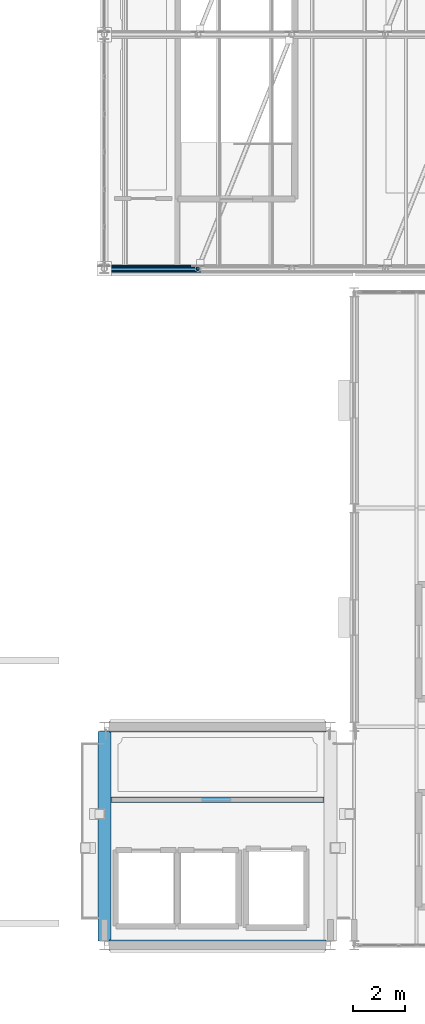
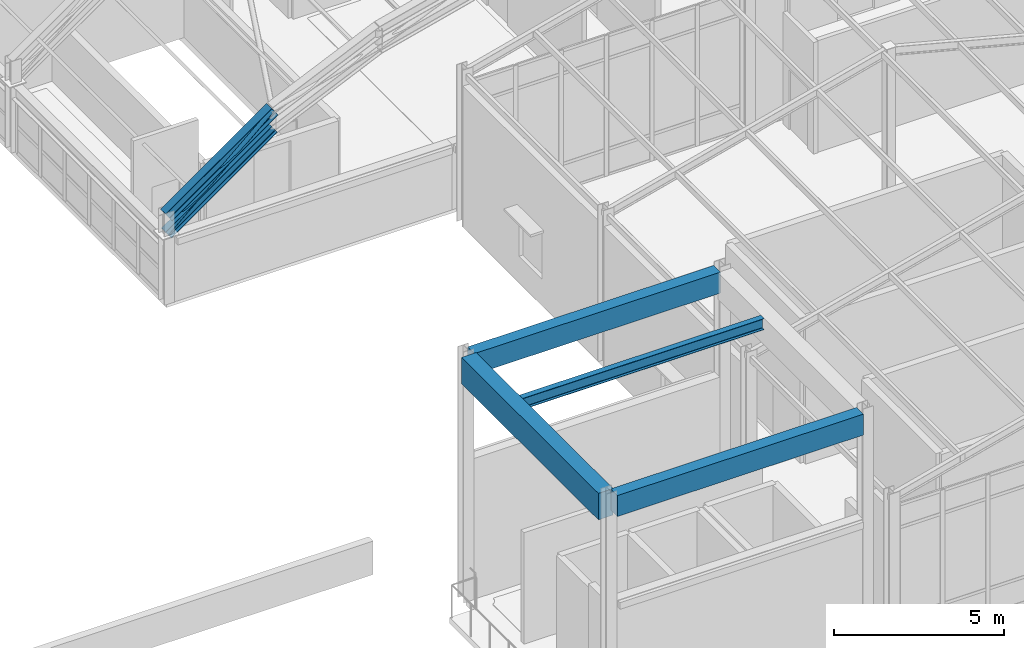
# One storey, part 7 of 121: 5 beams, 2 members.
"""IFC4 building model written with IfcOpenShell, lengths in metres."""

import ifcopenshell
import ifcopenshell.guid

model = None  # the IFC model being written
_history = None  # IfcOwnerHistory: only IFC2X3 demands one
_inside = {}  # id of a spatial element -> (the spatial element, [elements in it])
_under = {}  # id of a project, library or spatial element -> (it, [spatial elements below it])
_declared = {}  # id of a project -> (the project, [libraries it declares])
_typed = {}  # id of a type object -> (the type object, [elements of that type])
_made_of = {}  # id of a material, layer set ... -> (it, [elements and type objects made of it])


def new_model(schema):
    """Start an empty IFC model of exactly this schema.

    Asked for "IFC4X3", IfcOpenShell would pick the latest addendum, in which some entities
    have other attributes; the version numbers below select the first issue.
    IFC2X3 requires an IfcOwnerHistory on every rooted entity: one is made here for all.
    """
    global model, _history
    if schema == "IFC4X3":
        model = ifcopenshell.file(schema_version=(4, 3, 0, 0))
    else:
        model = ifcopenshell.file(schema=schema)
    _inside.clear()
    _under.clear()
    _declared.clear()
    _typed.clear()
    _made_of.clear()
    _history = None
    if model.schema == "IFC2X3":
        org = make("IfcOrganization", Name="unknown")
        user = make(
            "IfcPersonAndOrganization",
            ThePerson=make("IfcPerson", FamilyName="unknown"),
            TheOrganization=org,
        )
        app = make(
            "IfcApplication",
            ApplicationDeveloper=org,
            Version="unknown",
            ApplicationFullName="unknown",
            ApplicationIdentifier="unknown",
        )
        _history = make(
            "IfcOwnerHistory",
            OwningUser=user,
            OwningApplication=app,
            ChangeAction="ADDED",
            CreationDate=0,
        )
    return model


def make(cls, **values):
    """One entity of the class cls with the attributes given. An attribute that is None is left unset."""
    return model.create_entity(
        cls, **{name: value for name, value in values.items() if value is not None}
    )


def rooted(cls, **values):
    """An entity with a GlobalId (a new one), such as an element, a storey or a relation."""
    return make(cls, GlobalId=ifcopenshell.guid.new(), OwnerHistory=_history, **values)


def si_unit(unit_type, name, prefix=None):
    """IfcSIUnit, for example si_unit("LENGTHUNIT", "METRE", prefix="MILLI")."""
    return make("IfcSIUnit", UnitType=unit_type, Prefix=prefix, Name=name)


def assignment(units):
    """IfcUnitAssignment: the units of a project."""
    return None if units is None else make("IfcUnitAssignment", Units=units)


def point(xyz):
    """IfcCartesianPoint."""
    return None if xyz is None else make("IfcCartesianPoint", Coordinates=xyz)


def direction(xyz):
    """IfcDirection."""
    return None if xyz is None else make("IfcDirection", DirectionRatios=xyz)


def frame(location, z_axis=None, x_axis=None):
    """IfcAxis2Placement3D, a coordinate frame: its origin and axes. An axis left out is left unset."""
    return make(
        "IfcAxis2Placement3D",
        Location=point(location),
        Axis=direction(z_axis),
        RefDirection=direction(x_axis),
    )


def frame_2d(location, x_axis=None):
    """IfcAxis2Placement2D, a coordinate frame in the plane: its origin and x axis."""
    return make(
        "IfcAxis2Placement2D", Location=point(location), RefDirection=direction(x_axis)
    )


def origin():
    """The frame at (0, 0, 0) with its axes left unset."""
    return frame((0.0, 0.0, 0.0))


def origin_2d():
    """The frame at (0, 0) in the plane with its x axis left unset."""
    return frame_2d((0.0, 0.0))


def place(relative_to, where):
    """IfcLocalPlacement: puts the frame where relative to a parent placement (None: the world)."""
    return make(
        "IfcLocalPlacement", PlacementRelTo=relative_to, RelativePlacement=where
    )


def context(
    kind, dimensions, precision=None, world=None, true_north=None, identifier=None
):
    """IfcGeometricRepresentationContext, for example the 3D "Model" context."""
    return make(
        "IfcGeometricRepresentationContext",
        ContextIdentifier=identifier,
        ContextType=kind,
        CoordinateSpaceDimension=dimensions,
        Precision=precision,
        WorldCoordinateSystem=world,
        TrueNorth=true_north,
    )


def subcontext(parent, identifier, kind, view, scale=None):
    """IfcGeometricRepresentationSubContext, for example "Body" below "Model"."""
    return make(
        "IfcGeometricRepresentationSubContext",
        ContextIdentifier=identifier,
        ContextType=kind,
        ParentContext=parent,
        TargetScale=scale,
        TargetView=view,
    )


def project(units=None, contexts=None):
    """IfcProject with its units and contexts."""
    return rooted(
        "IfcProject",
        Name="project",
        RepresentationContexts=contexts,
        UnitsInContext=assignment(units),
    )


def spatial(cls, under=None, at=None, **own):
    """A site, building, storey or space (cls), placed at a placement, below another one or the project."""
    s = rooted(cls, ObjectPlacement=at, **own)
    if under is not None:
        _under.setdefault(under.id(), (under, []))[1].append(s)
    return s


def profile(cls, at=None, kind="AREA", **sizes):
    """A parametric profile (cls). Its sizes go by their IFC names, for example OverallWidth=200.0."""
    return make(cls, ProfileType=kind, Position=at, **sizes)


def rectangle(**sizes):
    """IfcRectangleProfileDef."""
    return profile("IfcRectangleProfileDef", **sizes)


def hollow_circle(**sizes):
    """IfcCircleHollowProfileDef."""
    return profile("IfcCircleHollowProfileDef", **sizes)


def i_section(**sizes):
    """IfcIShapeProfileDef."""
    return profile("IfcIShapeProfileDef", **sizes)


def extrude(swept, where, along, depth):
    """IfcExtrudedAreaSolid: the profile swept, set in the frame where, extruded along a direction by depth."""
    return make(
        "IfcExtrudedAreaSolid",
        SweptArea=swept,
        Position=where,
        ExtrudedDirection=direction(along),
        Depth=depth,
    )


def shape(context_of_items, identifier, shape_type, items):
    """IfcShapeRepresentation: the items that make up one representation, for example the "Body"."""
    return make(
        "IfcShapeRepresentation",
        ContextOfItems=context_of_items,
        RepresentationIdentifier=identifier,
        RepresentationType=shape_type,
        Items=items,
    )


def material(Name=None, Category=None):
    """IfcMaterial."""
    return make("IfcMaterial", Name=Name, Category=Category)


def material_profile(
    of_material, cross_section, Name=None, Category=None, Priority=None
):
    """IfcMaterialProfile: a cross section and its material."""
    return make(
        "IfcMaterialProfile",
        Name=Name,
        Material=of_material,
        Profile=cross_section,
        Priority=Priority,
        Category=Category,
    )


def profile_set(profiles, Name=None, composite=None):
    """IfcMaterialProfileSet."""
    return make(
        "IfcMaterialProfileSet",
        Name=Name,
        MaterialProfiles=profiles,
        CompositeProfile=composite,
    )


def made_of(thing, what):
    """Note that an element or type object is made of a material, layer set ...; save() writes the relation."""
    if what is not None:
        _made_of.setdefault(what.id(), (what, []))[1].append(thing)
    return thing


def type_object(cls, material=None, **own):
    """A type object (cls), such as IfcWallType, which elements share."""
    return made_of(rooted(cls, **own), material)


def element(
    cls,
    number,
    at=None,
    inside=None,
    cuts=None,
    type_object=None,
    material=None,
    context=None,
    identifier="Body",
    shape_type=None,
    held_by="IfcProductDefinitionShape",
    body=None,
    shapes=None,
    **own,
):
    """One element of the class cls, such as IfcWall. Its Tag is "e" and its number.

    at: its placement. inside: the storey or other place that contains it. cuts: it is an
    opening in that element (IfcRelVoidsElement). A single representation is given by context,
    identifier, shape_type and body (its items); several are given by shapes. held_by: the class
    of the entity that holds the representations. save() writes the other relations.
    """
    e = rooted(cls, Tag="e%d" % number, ObjectPlacement=at, **own)
    if body is not None:
        shapes = [shape(context, identifier, shape_type, body)]
    if shapes is not None:
        e.Representation = make(held_by, Representations=shapes)
    if inside is not None:
        _inside.setdefault(inside.id(), (inside, []))[1].append(e)
    if cuts is not None:
        rooted(
            "IfcRelVoidsElement", RelatingBuildingElement=cuts, RelatedOpeningElement=e
        )
    if type_object is not None:
        _typed.setdefault(type_object.id(), (type_object, []))[1].append(e)
    return made_of(e, material)


def aggregate(whole, parts):
    """IfcRelAggregates: a whole, such as a stair, and the parts it consists of."""
    return rooted("IfcRelAggregates", RelatingObject=whole, RelatedObjects=parts)


def save(model, path):
    """Write the relations noted so far, then the file.

    IfcRelAggregates (storeys below a building ...), IfcRelContainedInSpatialStructure (elements
    in a storey), IfcRelDefinesByType, IfcRelAssociatesMaterial and IfcRelDeclares: one each for
    every whole, place, type object, material and project.
    """
    for whole, parts in _under.values():
        aggregate(whole, parts)
    for where, things in _inside.values():
        rooted(
            "IfcRelContainedInSpatialStructure",
            RelatedElements=things,
            RelatingStructure=where,
        )
    for kind, things in _typed.values():
        rooted("IfcRelDefinesByType", RelatedObjects=things, RelatingType=kind)
    for what, things in _made_of.values():
        rooted("IfcRelAssociatesMaterial", RelatedObjects=things, RelatingMaterial=what)
    for by, libraries in _declared.values():
        rooted("IfcRelDeclares", RelatingContext=by, RelatedDefinitions=libraries)
    model.write(path)


model = new_model("IFC4")

# Units and contexts
model_context = context("Model", 3, precision=1e-05, world=origin(), true_north=direction((0.0, 1.0)))
body_context = subcontext(model_context, "Body", "Model", "MODEL_VIEW")
ifc_project = project(units=[si_unit("LENGTHUNIT", "METRE"), si_unit("AREAUNIT", "SQUARE_METRE"), si_unit("VOLUMEUNIT", "CUBIC_METRE"), si_unit("PLANEANGLEUNIT", "RADIAN"), si_unit("MASSUNIT", "GRAM", prefix="KILO")], contexts=[model_context])

# Site, building, storey
site_placement = place(None, origin())
site = spatial("IfcSite", under=ifc_project, at=site_placement, CompositionType="ELEMENT")
building_placement = place(site_placement, origin())
building = spatial("IfcBuilding", under=site, at=building_placement, Name="Canglan Escarpment Cableway Terminal", CompositionType="ELEMENT")
storey_placement = place(building_placement, frame((0.0, 0.0, 24.60009765625)))
storey = spatial("IfcBuildingStorey", under=building, at=storey_placement, Name="L05", CompositionType="ELEMENT", Elevation=24.60009765625)

# Beams
ifc_material_1 = material(Name="Steel Q355B", Category="steel")
ifc_material_profile_1 = material_profile(ifc_material_1, i_section(OverallWidth=0.300048828125, OverallDepth=0.389892578125, WebThickness=0.010009765625, FlangeThickness=0.01611328125, FilletRadius=0.02197265625, at=origin_2d()), Name="HM 390x300x10x16")
ifc_profile_set_1 = profile_set([ifc_material_profile_1], Name="Steel Q355B")
beam_type_1 = type_object("IfcBeamType", Name="BM-ARCH-TOP-HM390", PredefinedType="BEAM", material=ifc_profile_set_1)
beam_1_placement = place(storey_placement, frame((137.60009765625, 34.0, 3.08251953125), z_axis=(0.817731009495, 0.0, 0.575600552563), x_axis=(0.0, 1.0, 0.0)))
element("IfcBeam", 1, at=beam_1_placement, inside=storey, type_object=beam_type_1, Name="Vault ROOF TRUSS arch top chord AR-TC1", PredefinedType="BEAM", context=body_context, shape_type="SweptSolid", body=[
    extrude(i_section(OverallWidth=0.300048828125, OverallDepth=0.389892578125, WebThickness=0.010009765625, FlangeThickness=0.01611328125, FilletRadius=0.02197265625, at=origin_2d()), origin(), (0.0, 0.0, 1.0), 4.40234375),
])
ifc_material_2 = material(Name="Concrete C50", Category="concrete")
ifc_material_profile_2 = material_profile(ifc_material_2, rectangle(XDim=0.5, YDim=0.949951171875, at=origin_2d()), Name="RC 500x950")
ifc_profile_set_2 = profile_set([ifc_material_profile_2], Name="Concrete C50")
beam_type_2 = type_object("IfcBeamType", Name="BM-RC500x950", PredefinedType="BEAM", material=ifc_profile_set_2)
beam_2_placement = place(storey_placement, frame((137.60009765625, 8.175048828125, 8.364990234375), z_axis=(0.0, 1.0, 0.0), x_axis=(-1.0, 0.0, 0.0)))
element("IfcBeam", 2, at=beam_2_placement, inside=storey, type_object=beam_type_2, Name="Primary transverse girder B-01", PredefinedType="BEAM", context=body_context, shape_type="SweptSolid", body=[
    extrude(rectangle(XDim=0.5, YDim=0.949951171875, at=origin_2d()), origin(), (0.0, 0.0, 1.0), 8.050048828125),
])
ifc_material_profile_3 = material_profile(ifc_material_1, i_section(OverallWidth=0.199951171875, OverallDepth=0.39990234375, WebThickness=0.008056640625, FlangeThickness=0.012939453125, FilletRadius=0.01611328125, at=origin_2d()), Name="HN 400x200x8x13")
ifc_profile_set_3 = profile_set([ifc_material_profile_3], Name="Steel Q355B")
beam_type_3 = type_object("IfcBeamType", Name="JS-HN400", PredefinedType="JOIST", material=ifc_profile_set_3)
beam_3_placement = place(storey_placement, frame((137.85009765625, 13.60009765625, 8.639892578125), z_axis=(1.0, 0.0, 0.0), x_axis=(0.0, 1.0, 0.0)))
element("IfcBeam", 3, at=beam_3_placement, inside=storey, type_object=beam_type_3, Name="Secondary composite deck joist J-03", PredefinedType="JOIST", context=body_context, shape_type="SweptSolid", body=[
    extrude(i_section(OverallWidth=0.199951171875, OverallDepth=0.39990234375, WebThickness=0.008056640625, FlangeThickness=0.012939453125, FilletRadius=0.01611328125, at=origin_2d()), origin(), (0.0, 0.0, 1.0), 8.199951171875),
])

# Members
ifc_material_profile_4 = material_profile(ifc_material_1, i_section(OverallWidth=0.25, OverallDepth=0.340087890625, WebThickness=0.009033203125, FlangeThickness=0.013916015625, FilletRadius=0.02001953125, at=origin_2d()), Name="HM 340x250x9x14")
ifc_profile_set_4 = profile_set([ifc_material_profile_4], Name="Steel Q355B")
member_type_1 = type_object("IfcMemberType", Name="MB-ARCH-BOT-HM340", PredefinedType="CHORD", material=ifc_profile_set_4)
member_1_placement = place(storey_placement, frame((137.60009765625, 34.0, 2.432373046875), z_axis=(0.81770490607, 0.0, 0.575637634792), x_axis=(0.0, 1.0, 0.0)))
element("IfcMember", 4, at=member_1_placement, inside=storey, type_object=member_type_1, Name="Vault ROOF TRUSS arch bottom chord AR-BC1", PredefinedType="CHORD", context=body_context, shape_type="SweptSolid", body=[
    extrude(i_section(OverallWidth=0.25, OverallDepth=0.340087890625, WebThickness=0.009033203125, FlangeThickness=0.013916015625, FilletRadius=0.02001953125, at=origin_2d()), origin(), (0.0, 0.0, 1.0), 4.40234375),
])
ifc_material_profile_5 = material_profile(ifc_material_1, hollow_circle(Radius=0.084228515625, WallThickness=0.006103515625, at=origin_2d()), Name="CHS 168.3x6")
ifc_profile_set_5 = profile_set([ifc_material_profile_5], Name="Steel Q355B")
member_type_2 = type_object("IfcMemberType", Name="MB-ARCH-DIAG-CHS168", PredefinedType="BRACE", material=ifc_profile_set_5)
member_2_placement = place(storey_placement, frame((137.60009765625, 34.0, 2.432373046875), z_axis=(0.749038254518, 0.0, 0.662526749096), x_axis=(0.0, 1.0, 0.0)))
element("IfcMember", 5, at=member_2_placement, inside=storey, type_object=member_type_2, Name="Vault ROOF TRUSS web diagonal AR-DG1", PredefinedType="BRACE", context=body_context, shape_type="SweptSolid", body=[
    extrude(hollow_circle(Radius=0.084228515625, WallThickness=0.006103515625, at=origin_2d()), origin(), (0.0, 0.0, 1.0), 4.805908203125),
])

# Beams
ifc_material_3 = material(Name="Concrete C40", Category="concrete")
ifc_material_profile_6 = material_profile(ifc_material_3, rectangle(XDim=0.39990234375, YDim=0.75, at=origin_2d()), Name="RC 400x750")
ifc_profile_set_6 = profile_set([ifc_material_profile_6], Name="Concrete C40")
beam_type_4 = type_object("IfcBeamType", Name="SP-RC400x750", PredefinedType="SPANDREL", material=ifc_profile_set_6)
for number, where, z_axis, x_axis, name in (
    (6, (137.77490234375, 8.0, 8.46484375), (1.0, 0.0, 0.0), (0.0, 1.0, 0.0), "Primary structural girder SP-01"),
    (7, (137.77490234375, 16.39990234375, 8.46484375), (1.0, 0.0, 0.0), (0.0, 1.0, 0.0), "Primary structural girder SP-01"),
):
    element("IfcBeam", number, at=place(storey_placement, frame(where, z_axis=z_axis, x_axis=x_axis)), inside=storey, type_object=beam_type_4, Name=name, PredefinedType="SPANDREL", context=body_context, shape_type="SweptSolid", body=[
        extrude(rectangle(XDim=0.39990234375, YDim=0.75, at=origin_2d()), origin(), (0.0, 0.0, 1.0), 8.35009765625),
    ])

save(model, "model.ifc")
